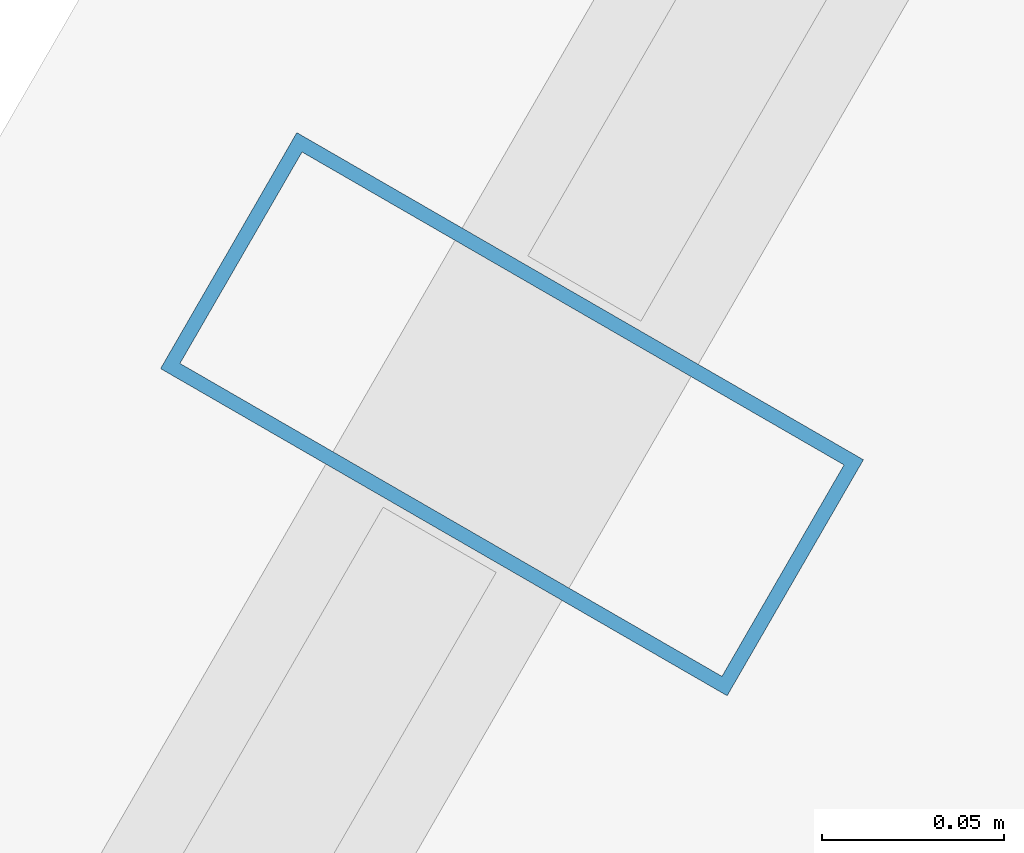
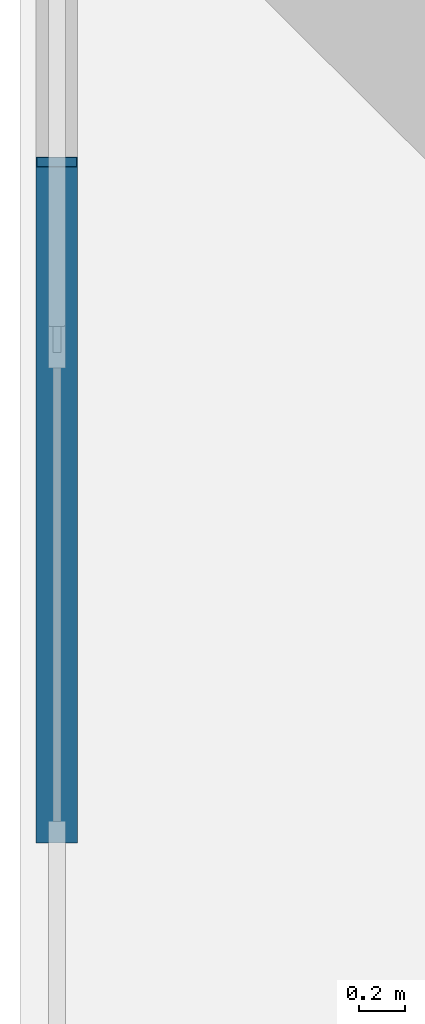
# One storey, part 15 of 32: 1 member, 1 element without a shape of its own.
"""IFC4 building model written with IfcOpenShell, lengths in metres."""

from ifc_helpers import new_model, si_unit, direction, frame, origin, origin_2d, place, context, subcontext, project, spatial, hollow_rectangle, extrude, material, layer, layer_set, material_profile, profile_set, type_object, element, aggregate, save


model = new_model("IFC4")

# Units and contexts
model_context = context("Model", 3, precision=1e-05, world=origin(), true_north=direction((0.0, 1.0)))
body_context = subcontext(model_context, "Body", "Model", "MODEL_VIEW")
ifc_project = project(units=[si_unit("LENGTHUNIT", "METRE"), si_unit("AREAUNIT", "SQUARE_METRE"), si_unit("VOLUMEUNIT", "CUBIC_METRE"), si_unit("PLANEANGLEUNIT", "RADIAN"), si_unit("MASSUNIT", "GRAM", prefix="KILO")], contexts=[model_context])

# Site, building, storey
site_placement = place(None, origin())
site = spatial("IfcSite", under=ifc_project, at=site_placement, CompositionType="ELEMENT")
building_placement = place(site_placement, origin())
building = spatial("IfcBuilding", under=site, at=building_placement, Name="Ndaravel Arena Tower", CompositionType="ELEMENT")
storey_placement = place(building_placement, frame((0.0, 0.0, 256.0)))
storey = spatial("IfcBuildingStorey", under=building, at=storey_placement, Name="L62", CompositionType="ELEMENT", Elevation=256.0)

# Curtain wall, member
ifc_material_1 = material(Name="Aluminium", Category="aluminium")
ifc_layer = layer(ifc_material_1, 0.179931640625)
ifc_layer_set = layer_set([ifc_layer], Name="Aluminium")
curtain_wall_type = type_object("IfcCurtainWallType", Name="CW-SYS-03", PredefinedType="NOTDEFINED", material=ifc_layer_set)
curtain_wall_placement = place(storey_placement, origin())
curtain_wall = element("IfcCurtainWall", 1, at=curtain_wall_placement, inside=storey, type_object=curtain_wall_type, Name="L62 Faceted Crystal Curtain Wall CW-L62-E05", PredefinedType="NOTDEFINED")
ifc_material_2 = material(Name="Aluminium", Category="aluminium")
ifc_material_profile = material_profile(ifc_material_2, hollow_rectangle(XDim=0.074951171875, YDim=0.179931640625, WallThickness=0.00390625, at=origin_2d()), Name="CW MULLION 75x180x4")
ifc_profile_set = profile_set([ifc_material_profile], Name="Aluminium")
member_type = type_object("IfcMemberType", Name="MEM-CW-MUL180", PredefinedType="MULLION", material=ifc_profile_set)
member_placement = place(storey_placement, frame((34.585693359375, 37.057373046875, 0.0), z_axis=(0.0, 0.0, 1.0), x_axis=(-0.5, -0.866025403784, 0.0)))
member = element("IfcMember", 2, at=member_placement, type_object=member_type, Name="CW-L62-E05 Mullion 02", PredefinedType="MULLION", context=body_context, shape_type="SweptSolid", body=[
    extrude(hollow_rectangle(XDim=0.074951171875, YDim=0.179931640625, WallThickness=0.00390625, at=origin_2d()), origin(), (0.0, 0.0, 1.0), 3.580078125),
])
aggregate(curtain_wall, [member])

save(model, "model.ifc")
